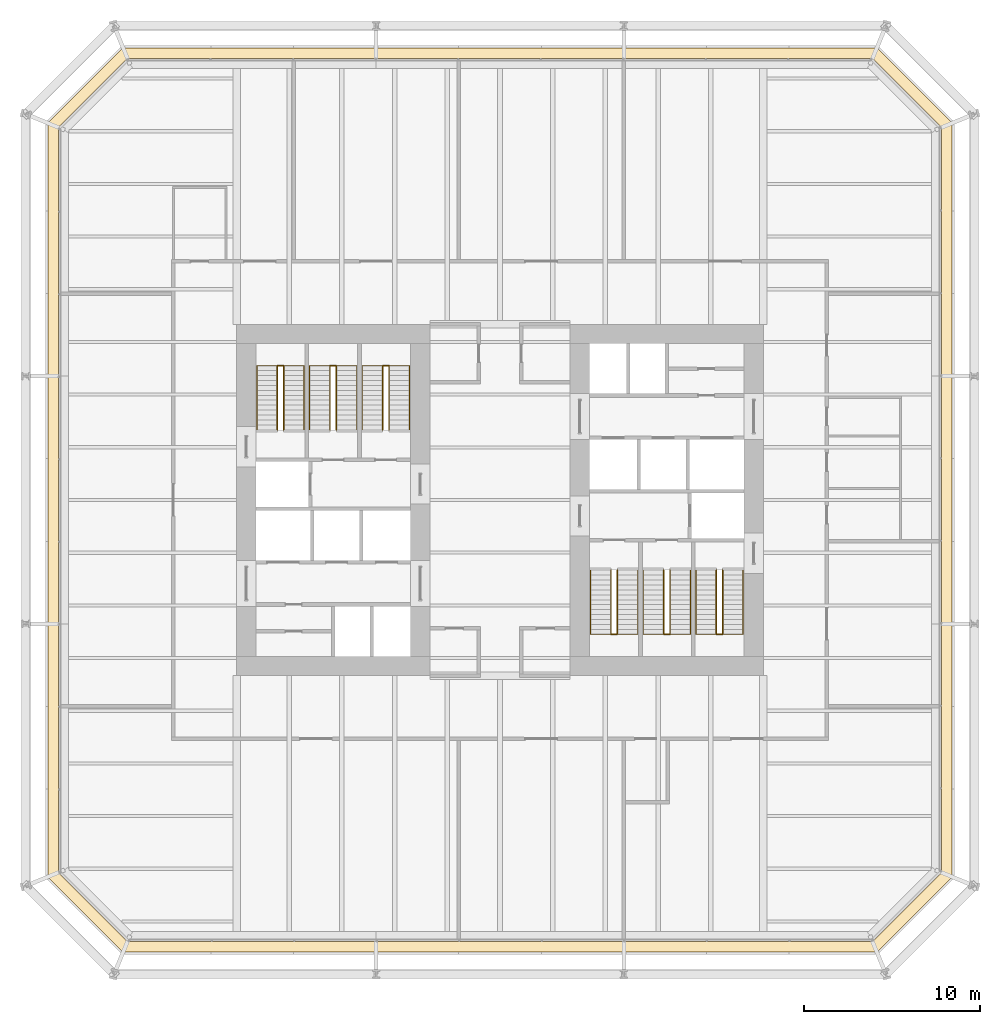
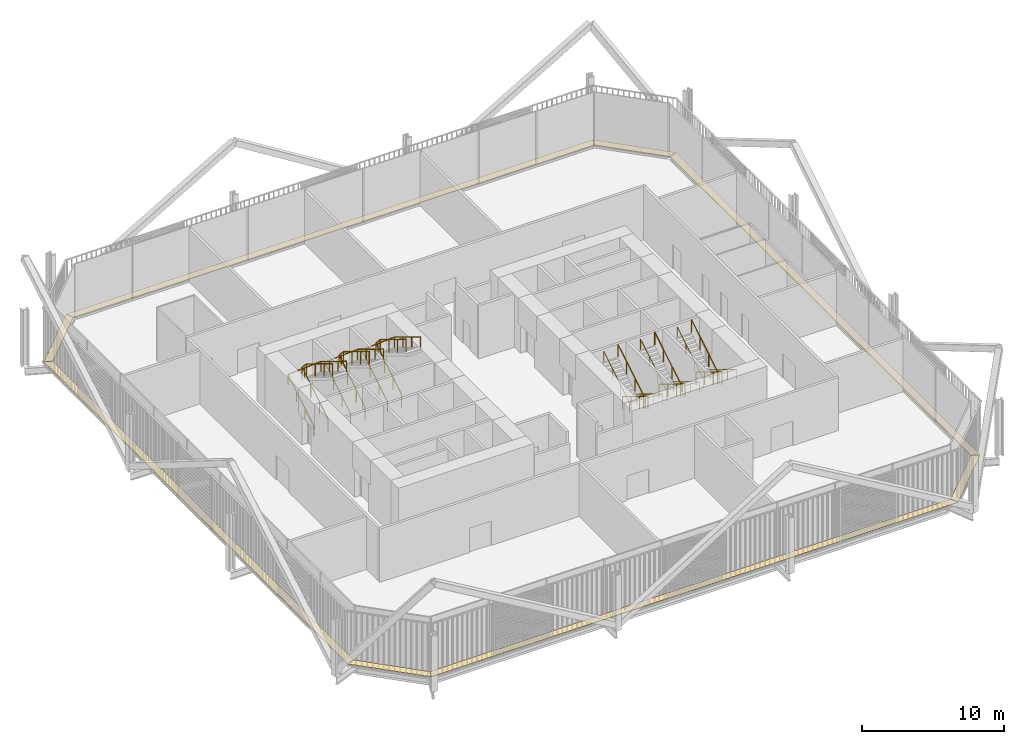
# One storey, part 22 of 22: 12 railings, 8 coverings.
"""IFC4 building model written with IfcOpenShell, lengths in metres."""

from ifc_helpers import new_model, si_unit, direction, frame, origin, origin_2d, place, context, subcontext, project, spatial, polyline, circle, outline, extrude, material, layer, layer_set, type_object, element, save


model = new_model("IFC4")

# Units and contexts
model_context = context("Model", 3, precision=1e-05, world=origin(), true_north=direction((0.0, 1.0)))
body_context = subcontext(model_context, "Body", "Model", "MODEL_VIEW")
ifc_project = project(units=[si_unit("LENGTHUNIT", "METRE"), si_unit("AREAUNIT", "SQUARE_METRE"), si_unit("VOLUMEUNIT", "CUBIC_METRE"), si_unit("PLANEANGLEUNIT", "RADIAN"), si_unit("MASSUNIT", "GRAM", prefix="KILO")], contexts=[model_context])

# Site, building, storey
site_placement = place(None, origin())
site = spatial("IfcSite", under=ifc_project, at=site_placement, CompositionType="ELEMENT")
building_placement = place(site_placement, origin())
building = spatial("IfcBuilding", under=site, at=building_placement, Name="Millrace Tower", CompositionType="ELEMENT")
storey_placement = place(building_placement, frame((0.0, 0.0, 35.300048828125)))
storey = spatial("IfcBuildingStorey", under=building, at=storey_placement, Name="L08", CompositionType="ELEMENT", Elevation=35.300048828125)

# Coverings
ifc_material_1 = material(Name="Steel ASTM A36", Category="steel")
ifc_layer = layer(ifc_material_1, 0.050048828125)
ifc_layer_set = layer_set([ifc_layer], Name="Steel ASTM A36")
covering_type = type_object("IfcCoveringType", Name="CAVITY CATWALK steel grating", PredefinedType="FLOORING", material=ifc_layer_set)
placement = place(storey_placement, frame((0.0, 0.0, 0.099853515625)))
element("IfcCovering", 1, at=placement, inside=storey, type_object=covering_type, Name="Cavity catwalk grating A-F01 L08 1", PredefinedType="FLOORING", context=body_context, shape_type="SweptSolid", body=[
    extrude(outline(polyline([(-25.75, -21.460693359375), (-21.460693359375, -25.75), (-21.212158203125, -25.14990234375), (-25.14990234375, -21.212158203125), (-25.75, -21.460693359375)])), origin(), (0.0, 0.0, 1.0), 0.050048828125),
])
element("IfcCovering", 2, at=placement, inside=storey, type_object=covering_type, Name="Cavity catwalk grating A-F02 L08 1", PredefinedType="FLOORING", context=body_context, shape_type="SweptSolid", body=[
    extrude(outline(polyline([(-21.460693359375, -25.75), (21.460693359375, -25.75), (21.212158203125, -25.14990234375), (-21.212158203125, -25.14990234375), (-21.460693359375, -25.75)])), origin(), (0.0, 0.0, 1.0), 0.050048828125),
])
element("IfcCovering", 3, at=placement, inside=storey, type_object=covering_type, Name="Cavity catwalk grating A-F03 L08 1", PredefinedType="FLOORING", context=body_context, shape_type="SweptSolid", body=[
    extrude(outline(polyline([(21.460693359375, -25.75), (25.75, -21.460693359375), (25.14990234375, -21.212158203125), (21.212158203125, -25.14990234375), (21.460693359375, -25.75)])), origin(), (0.0, 0.0, 1.0), 0.050048828125),
])
element("IfcCovering", 4, at=placement, inside=storey, type_object=covering_type, Name="Cavity catwalk grating A-F04 L08 1", PredefinedType="FLOORING", context=body_context, shape_type="SweptSolid", body=[
    extrude(outline(polyline([(25.75, -21.460693359375), (25.75, 21.460693359375), (25.14990234375, 21.212158203125), (25.14990234375, -21.212158203125), (25.75, -21.460693359375)])), origin(), (0.0, 0.0, 1.0), 0.050048828125),
])
element("IfcCovering", 5, at=placement, inside=storey, type_object=covering_type, Name="Cavity catwalk grating A-F05 L08 1", PredefinedType="FLOORING", context=body_context, shape_type="SweptSolid", body=[
    extrude(outline(polyline([(25.75, 21.460693359375), (21.460693359375, 25.75), (21.212158203125, 25.14990234375), (25.14990234375, 21.212158203125), (25.75, 21.460693359375)])), origin(), (0.0, 0.0, 1.0), 0.050048828125),
])
element("IfcCovering", 6, at=placement, inside=storey, type_object=covering_type, Name="Cavity catwalk grating A-F06 L08 1", PredefinedType="FLOORING", context=body_context, shape_type="SweptSolid", body=[
    extrude(outline(polyline([(21.460693359375, 25.75), (-21.460693359375, 25.75), (-21.212158203125, 25.14990234375), (21.212158203125, 25.14990234375), (21.460693359375, 25.75)])), origin(), (0.0, 0.0, 1.0), 0.050048828125),
])
element("IfcCovering", 7, at=placement, inside=storey, type_object=covering_type, Name="Cavity catwalk grating A-F07 L08 1", PredefinedType="FLOORING", context=body_context, shape_type="SweptSolid", body=[
    extrude(outline(polyline([(-21.460693359375, 25.75), (-25.75, 21.460693359375), (-25.14990234375, 21.212158203125), (-21.212158203125, 25.14990234375), (-21.460693359375, 25.75)])), origin(), (0.0, 0.0, 1.0), 0.050048828125),
])
element("IfcCovering", 8, at=placement, inside=storey, type_object=covering_type, Name="Cavity catwalk grating A-F08 L08 1", PredefinedType="FLOORING", context=body_context, shape_type="SweptSolid", body=[
    extrude(outline(polyline([(-25.75, 21.460693359375), (-25.75, -21.460693359375), (-25.14990234375, -21.212158203125), (-25.14990234375, 21.212158203125), (-25.75, 21.460693359375)])), origin(), (0.0, 0.0, 1.0), 0.050048828125),
])

# Railings
ifc_material_2 = material(Name="Stainless steel ASTM A240 type 316", Category="steel")
railing_type_1 = type_object("IfcRailingType", Name="Stair guard 1100", PredefinedType="GUARDRAIL", material=ifc_material_2)
for number, where, name in (
    (9, (-12.679931640625, 4.0, 0.17138671875), "Stair guard 1 W L08"),
    (10, (-9.679931640625, 4.0, 0.17138671875), "Stair guard 2 W L08"),
    (11, (-6.679931640625, 4.0, 0.17138671875), "Stair guard 3 W L08"),
):
    element("IfcRailing", number, at=place(storey_placement, frame(where)), inside=storey, type_object=railing_type_1, Name=name, PredefinedType="GUARDRAIL", context=body_context, shape_type="SweptSolid", body=[
        extrude(circle(Radius=0.02392578125, at=origin_2d()), frame((0.0, 0.0, 1.076171875), z_axis=(0.0, 0.852850264322, 0.5221555579), x_axis=(-1.0, 0.0, 0.0)), (0.0, 0.0, 1.0), 4.267822265625),
        extrude(circle(Radius=0.02392578125, at=origin_2d()), frame((0.0, 3.639892578125, 3.3046875), z_axis=(0.902837873996, 0.0, 0.429981131306), x_axis=(0.0, 1.0, 0.0)), (0.0, 0.0, 1.0), 0.398681640625),
        extrude(circle(Radius=0.02392578125, at=origin_2d()), frame((0.35986328125, 3.639892578125, 3.47607421875), z_axis=(0.0, -0.852824790078, 0.522197163366), x_axis=(1.0, 0.0, 0.0)), (0.0, 0.0, 1.0), 4.26806640625),
        extrude(circle(Radius=0.02099609375, at=origin_2d()), origin(), (0.0, 0.0, 1.0), 1.052001953125),
        extrude(circle(Radius=0.02099609375, at=origin_2d()), frame((0.0, 1.21337890625, 0.742919921875)), (0.0, 0.0, 1.0), 1.052001953125),
        extrude(circle(Radius=0.02099609375, at=origin_2d()), frame((0.0, 2.426513671875, 1.485595703125)), (0.0, 0.0, 1.0), 1.052001953125),
        extrude(circle(Radius=0.02099609375, at=origin_2d()), frame((0.0, 3.639892578125, 2.228515625)), (0.0, 0.0, 1.0), 1.052001953125),
        extrude(circle(Radius=0.02099609375, at=origin_2d()), frame((0.35986328125, 3.639892578125, 2.39990234375)), (0.0, 0.0, 1.0), 1.052001953125),
        extrude(circle(Radius=0.02099609375, at=origin_2d()), frame((0.35986328125, 2.426513671875, 3.142822265625)), (0.0, 0.0, 1.0), 1.052001953125),
        extrude(circle(Radius=0.02099609375, at=origin_2d()), frame((0.35986328125, 1.21337890625, 3.8857421875)), (0.0, 0.0, 1.0), 1.052001953125),
        extrude(circle(Radius=0.02099609375, at=origin_2d()), frame((0.35986328125, 0.0, 4.628662109375)), (0.0, 0.0, 1.0), 1.052001953125),
    ])
for number, where, name in (
    (12, (12.679931640625, -4.0, 0.17138671875), "Stair guard 1 E L08"),
    (13, (9.679931640625, -4.0, 0.17138671875), "Stair guard 2 E L08"),
    (14, (6.679931640625, -4.0, 0.17138671875), "Stair guard 3 E L08"),
):
    element("IfcRailing", number, at=place(storey_placement, frame(where)), inside=storey, type_object=railing_type_1, Name=name, PredefinedType="GUARDRAIL", context=body_context, shape_type="SweptSolid", body=[
        extrude(circle(Radius=0.02392578125, at=origin_2d()), frame((0.0, 0.0, 1.076171875), z_axis=(0.0, -0.852850264322, 0.5221555579), x_axis=(1.0, 0.0, 0.0)), (0.0, 0.0, 1.0), 4.267822265625),
        extrude(circle(Radius=0.02392578125, at=origin_2d()), frame((0.0, -3.639892578125, 3.3046875), z_axis=(-0.902837873996, 0.0, 0.429981131306), x_axis=(0.0, -1.0, 0.0)), (0.0, 0.0, 1.0), 0.398681640625),
        extrude(circle(Radius=0.02392578125, at=origin_2d()), frame((-0.35986328125, -3.639892578125, 3.47607421875), z_axis=(0.0, 0.852824790078, 0.522197163366), x_axis=(-1.0, 0.0, 0.0)), (0.0, 0.0, 1.0), 4.26806640625),
        extrude(circle(Radius=0.02099609375, at=origin_2d()), origin(), (0.0, 0.0, 1.0), 1.052001953125),
        extrude(circle(Radius=0.02099609375, at=origin_2d()), frame((0.0, -1.21337890625, 0.742919921875)), (0.0, 0.0, 1.0), 1.052001953125),
        extrude(circle(Radius=0.02099609375, at=origin_2d()), frame((0.0, -2.426513671875, 1.485595703125)), (0.0, 0.0, 1.0), 1.052001953125),
        extrude(circle(Radius=0.02099609375, at=origin_2d()), frame((0.0, -3.639892578125, 2.228515625)), (0.0, 0.0, 1.0), 1.052001953125),
        extrude(circle(Radius=0.02099609375, at=origin_2d()), frame((-0.35986328125, -3.639892578125, 2.39990234375)), (0.0, 0.0, 1.0), 1.052001953125),
        extrude(circle(Radius=0.02099609375, at=origin_2d()), frame((-0.35986328125, -2.426513671875, 3.142822265625)), (0.0, 0.0, 1.0), 1.052001953125),
        extrude(circle(Radius=0.02099609375, at=origin_2d()), frame((-0.35986328125, -1.21337890625, 3.8857421875)), (0.0, 0.0, 1.0), 1.052001953125),
        extrude(circle(Radius=0.02099609375, at=origin_2d()), frame((-0.35986328125, 0.0, 4.628662109375)), (0.0, 0.0, 1.0), 1.052001953125),
    ])
ifc_material_3 = material(Name="Stainless steel ASTM A240 type 316", Category="steel")
railing_type_2 = type_object("IfcRailingType", Name="Stair handrail 900", PredefinedType="HANDRAIL", material=ifc_material_3)
railing_1_placement = place(storey_placement, frame((-13.840087890625, 4.0, 0.17138671875)))
element("IfcRailing", 15, at=railing_1_placement, inside=storey, type_object=railing_type_2, Name="Stair handrail 1 W L08", PredefinedType="HANDRAIL", context=body_context, shape_type="SweptSolid", body=[
    extrude(circle(Radius=0.02392578125, at=origin_2d()), frame((0.0, 0.0, 0.8759765625), z_axis=(0.0, 0.852850264322, 0.5221555579), x_axis=(-1.0, 0.0, 0.0)), (0.0, 0.0, 1.0), 4.267822265625),
    extrude(circle(Radius=0.02392578125, at=origin_2d()), frame((0.0, 3.639892578125, 3.1044921875), z_axis=(0.9979616988, 0.0, 0.063815732607), x_axis=(0.0, 1.0, 0.0)), (0.0, 0.0, 1.0), 2.685546875),
    extrude(circle(Radius=0.02392578125, at=origin_2d()), frame((2.68017578125, 3.639892578125, 3.27587890625), z_axis=(0.0, -0.852824790078, 0.522197163366), x_axis=(1.0, 0.0, 0.0)), (0.0, 0.0, 1.0), 4.26806640625),
    extrude(circle(Radius=0.02099609375, at=origin_2d()), origin(), (0.0, 0.0, 1.0), 0.851806640625),
    extrude(circle(Radius=0.02099609375, at=origin_2d()), frame((0.0, 1.21337890625, 0.742919921875)), (0.0, 0.0, 1.0), 0.851806640625),
    extrude(circle(Radius=0.02099609375, at=origin_2d()), frame((0.0, 2.426513671875, 1.485595703125)), (0.0, 0.0, 1.0), 0.851806640625),
    extrude(circle(Radius=0.02099609375, at=origin_2d()), frame((0.0, 3.639892578125, 2.228515625)), (0.0, 0.0, 1.0), 0.851806640625),
    extrude(circle(Radius=0.02099609375, at=origin_2d()), frame((1.340087890625, 3.639892578125, 2.314208984375)), (0.0, 0.0, 1.0), 0.851806640625),
    extrude(circle(Radius=0.02099609375, at=origin_2d()), frame((2.68017578125, 3.639892578125, 2.39990234375)), (0.0, 0.0, 1.0), 0.851806640625),
    extrude(circle(Radius=0.02099609375, at=origin_2d()), frame((2.68017578125, 2.426513671875, 3.142822265625)), (0.0, 0.0, 1.0), 0.851806640625),
    extrude(circle(Radius=0.02099609375, at=origin_2d()), frame((2.68017578125, 1.21337890625, 3.8857421875)), (0.0, 0.0, 1.0), 0.851806640625),
    extrude(circle(Radius=0.02099609375, at=origin_2d()), frame((2.68017578125, 0.0, 4.628662109375)), (0.0, 0.0, 1.0), 0.851806640625),
])
railing_2_placement = place(storey_placement, frame((-10.840087890625, 4.0, 0.17138671875)))
element("IfcRailing", 16, at=railing_2_placement, inside=storey, type_object=railing_type_2, Name="Stair handrail 2 W L08", PredefinedType="HANDRAIL", context=body_context, shape_type="SweptSolid", body=[
    extrude(circle(Radius=0.02392578125, at=origin_2d()), frame((0.0, 0.0, 0.8759765625), z_axis=(0.0, 0.852850264322, 0.5221555579), x_axis=(-1.0, 0.0, 0.0)), (0.0, 0.0, 1.0), 4.267822265625),
    extrude(circle(Radius=0.02392578125, at=origin_2d()), frame((0.0, 3.639892578125, 3.1044921875), z_axis=(0.9979616988, 0.0, 0.063815732607), x_axis=(0.0, 1.0, 0.0)), (0.0, 0.0, 1.0), 2.685546875),
    extrude(circle(Radius=0.02392578125, at=origin_2d()), frame((2.68017578125, 3.639892578125, 3.27587890625), z_axis=(0.0, -0.852824790078, 0.522197163366), x_axis=(1.0, 0.0, 0.0)), (0.0, 0.0, 1.0), 4.26806640625),
    extrude(circle(Radius=0.02099609375, at=origin_2d()), origin(), (0.0, 0.0, 1.0), 0.851806640625),
    extrude(circle(Radius=0.02099609375, at=origin_2d()), frame((0.0, 1.21337890625, 0.742919921875)), (0.0, 0.0, 1.0), 0.851806640625),
    extrude(circle(Radius=0.02099609375, at=origin_2d()), frame((0.0, 2.426513671875, 1.485595703125)), (0.0, 0.0, 1.0), 0.851806640625),
    extrude(circle(Radius=0.02099609375, at=origin_2d()), frame((0.0, 3.639892578125, 2.228515625)), (0.0, 0.0, 1.0), 0.851806640625),
    extrude(circle(Radius=0.02099609375, at=origin_2d()), frame((1.340087890625, 3.639892578125, 2.314208984375)), (0.0, 0.0, 1.0), 0.851806640625),
    extrude(circle(Radius=0.02099609375, at=origin_2d()), frame((2.68017578125, 3.639892578125, 2.39990234375)), (0.0, 0.0, 1.0), 0.851806640625),
    extrude(circle(Radius=0.02099609375, at=origin_2d()), frame((2.68017578125, 2.426513671875, 3.142822265625)), (0.0, 0.0, 1.0), 0.851806640625),
    extrude(circle(Radius=0.02099609375, at=origin_2d()), frame((2.68017578125, 1.21337890625, 3.8857421875)), (0.0, 0.0, 1.0), 0.851806640625),
    extrude(circle(Radius=0.02099609375, at=origin_2d()), frame((2.68017578125, 0.0, 4.628662109375)), (0.0, 0.0, 1.0), 0.851806640625),
])
railing_3_placement = place(storey_placement, frame((-7.840087890625, 4.0, 0.17138671875)))
element("IfcRailing", 17, at=railing_3_placement, inside=storey, type_object=railing_type_2, Name="Stair handrail 3 W L08", PredefinedType="HANDRAIL", context=body_context, shape_type="SweptSolid", body=[
    extrude(circle(Radius=0.02392578125, at=origin_2d()), frame((0.0, 0.0, 0.8759765625), z_axis=(0.0, 0.852850264322, 0.5221555579), x_axis=(-1.0, 0.0, 0.0)), (0.0, 0.0, 1.0), 4.267822265625),
    extrude(circle(Radius=0.02392578125, at=origin_2d()), frame((0.0, 3.639892578125, 3.1044921875), z_axis=(0.9979616988, 0.0, 0.063815732607), x_axis=(0.0, 1.0, 0.0)), (0.0, 0.0, 1.0), 2.685546875),
    extrude(circle(Radius=0.02392578125, at=origin_2d()), frame((2.68017578125, 3.639892578125, 3.27587890625), z_axis=(0.0, -0.852824790078, 0.522197163366), x_axis=(1.0, 0.0, 0.0)), (0.0, 0.0, 1.0), 4.26806640625),
    extrude(circle(Radius=0.02099609375, at=origin_2d()), origin(), (0.0, 0.0, 1.0), 0.851806640625),
    extrude(circle(Radius=0.02099609375, at=origin_2d()), frame((0.0, 1.21337890625, 0.742919921875)), (0.0, 0.0, 1.0), 0.851806640625),
    extrude(circle(Radius=0.02099609375, at=origin_2d()), frame((0.0, 2.426513671875, 1.485595703125)), (0.0, 0.0, 1.0), 0.851806640625),
    extrude(circle(Radius=0.02099609375, at=origin_2d()), frame((0.0, 3.639892578125, 2.228515625)), (0.0, 0.0, 1.0), 0.851806640625),
    extrude(circle(Radius=0.02099609375, at=origin_2d()), frame((1.340087890625, 3.639892578125, 2.314208984375)), (0.0, 0.0, 1.0), 0.851806640625),
    extrude(circle(Radius=0.02099609375, at=origin_2d()), frame((2.68017578125, 3.639892578125, 2.39990234375)), (0.0, 0.0, 1.0), 0.851806640625),
    extrude(circle(Radius=0.02099609375, at=origin_2d()), frame((2.68017578125, 2.426513671875, 3.142822265625)), (0.0, 0.0, 1.0), 0.851806640625),
    extrude(circle(Radius=0.02099609375, at=origin_2d()), frame((2.68017578125, 1.21337890625, 3.8857421875)), (0.0, 0.0, 1.0), 0.851806640625),
    extrude(circle(Radius=0.02099609375, at=origin_2d()), frame((2.68017578125, 0.0, 4.628662109375)), (0.0, 0.0, 1.0), 0.851806640625),
])
railing_4_placement = place(storey_placement, frame((13.840087890625, -4.0, 0.17138671875)))
element("IfcRailing", 18, at=railing_4_placement, inside=storey, type_object=railing_type_2, Name="Stair handrail 1 E L08", PredefinedType="HANDRAIL", context=body_context, shape_type="SweptSolid", body=[
    extrude(circle(Radius=0.02392578125, at=origin_2d()), frame((0.0, 0.0, 0.8759765625), z_axis=(0.0, -0.852850264322, 0.5221555579), x_axis=(1.0, 0.0, 0.0)), (0.0, 0.0, 1.0), 4.267822265625),
    extrude(circle(Radius=0.02392578125, at=origin_2d()), frame((0.0, -3.639892578125, 3.1044921875), z_axis=(-0.9979616988, 0.0, 0.063815732607), x_axis=(0.0, -1.0, 0.0)), (0.0, 0.0, 1.0), 2.685546875),
    extrude(circle(Radius=0.02392578125, at=origin_2d()), frame((-2.68017578125, -3.639892578125, 3.27587890625), z_axis=(0.0, 0.852824790078, 0.522197163366), x_axis=(-1.0, 0.0, 0.0)), (0.0, 0.0, 1.0), 4.26806640625),
    extrude(circle(Radius=0.02099609375, at=origin_2d()), origin(), (0.0, 0.0, 1.0), 0.851806640625),
    extrude(circle(Radius=0.02099609375, at=origin_2d()), frame((0.0, -1.21337890625, 0.742919921875)), (0.0, 0.0, 1.0), 0.851806640625),
    extrude(circle(Radius=0.02099609375, at=origin_2d()), frame((0.0, -2.426513671875, 1.485595703125)), (0.0, 0.0, 1.0), 0.851806640625),
    extrude(circle(Radius=0.02099609375, at=origin_2d()), frame((0.0, -3.639892578125, 2.228515625)), (0.0, 0.0, 1.0), 0.851806640625),
    extrude(circle(Radius=0.02099609375, at=origin_2d()), frame((-1.340087890625, -3.639892578125, 2.314208984375)), (0.0, 0.0, 1.0), 0.851806640625),
    extrude(circle(Radius=0.02099609375, at=origin_2d()), frame((-2.68017578125, -3.639892578125, 2.39990234375)), (0.0, 0.0, 1.0), 0.851806640625),
    extrude(circle(Radius=0.02099609375, at=origin_2d()), frame((-2.68017578125, -2.426513671875, 3.142822265625)), (0.0, 0.0, 1.0), 0.851806640625),
    extrude(circle(Radius=0.02099609375, at=origin_2d()), frame((-2.68017578125, -1.21337890625, 3.8857421875)), (0.0, 0.0, 1.0), 0.851806640625),
    extrude(circle(Radius=0.02099609375, at=origin_2d()), frame((-2.68017578125, 0.0, 4.628662109375)), (0.0, 0.0, 1.0), 0.851806640625),
])
railing_5_placement = place(storey_placement, frame((10.840087890625, -4.0, 0.17138671875)))
element("IfcRailing", 19, at=railing_5_placement, inside=storey, type_object=railing_type_2, Name="Stair handrail 2 E L08", PredefinedType="HANDRAIL", context=body_context, shape_type="SweptSolid", body=[
    extrude(circle(Radius=0.02392578125, at=origin_2d()), frame((0.0, 0.0, 0.8759765625), z_axis=(0.0, -0.852850264322, 0.5221555579), x_axis=(1.0, 0.0, 0.0)), (0.0, 0.0, 1.0), 4.267822265625),
    extrude(circle(Radius=0.02392578125, at=origin_2d()), frame((0.0, -3.639892578125, 3.1044921875), z_axis=(-0.9979616988, 0.0, 0.063815732607), x_axis=(0.0, -1.0, 0.0)), (0.0, 0.0, 1.0), 2.685546875),
    extrude(circle(Radius=0.02392578125, at=origin_2d()), frame((-2.68017578125, -3.639892578125, 3.27587890625), z_axis=(0.0, 0.852824790078, 0.522197163366), x_axis=(-1.0, 0.0, 0.0)), (0.0, 0.0, 1.0), 4.26806640625),
    extrude(circle(Radius=0.02099609375, at=origin_2d()), origin(), (0.0, 0.0, 1.0), 0.851806640625),
    extrude(circle(Radius=0.02099609375, at=origin_2d()), frame((0.0, -1.21337890625, 0.742919921875)), (0.0, 0.0, 1.0), 0.851806640625),
    extrude(circle(Radius=0.02099609375, at=origin_2d()), frame((0.0, -2.426513671875, 1.485595703125)), (0.0, 0.0, 1.0), 0.851806640625),
    extrude(circle(Radius=0.02099609375, at=origin_2d()), frame((0.0, -3.639892578125, 2.228515625)), (0.0, 0.0, 1.0), 0.851806640625),
    extrude(circle(Radius=0.02099609375, at=origin_2d()), frame((-1.340087890625, -3.639892578125, 2.314208984375)), (0.0, 0.0, 1.0), 0.851806640625),
    extrude(circle(Radius=0.02099609375, at=origin_2d()), frame((-2.68017578125, -3.639892578125, 2.39990234375)), (0.0, 0.0, 1.0), 0.851806640625),
    extrude(circle(Radius=0.02099609375, at=origin_2d()), frame((-2.68017578125, -2.426513671875, 3.142822265625)), (0.0, 0.0, 1.0), 0.851806640625),
    extrude(circle(Radius=0.02099609375, at=origin_2d()), frame((-2.68017578125, -1.21337890625, 3.8857421875)), (0.0, 0.0, 1.0), 0.851806640625),
    extrude(circle(Radius=0.02099609375, at=origin_2d()), frame((-2.68017578125, 0.0, 4.628662109375)), (0.0, 0.0, 1.0), 0.851806640625),
])
railing_6_placement = place(storey_placement, frame((7.840087890625, -4.0, 0.17138671875)))
element("IfcRailing", 20, at=railing_6_placement, inside=storey, type_object=railing_type_2, Name="Stair handrail 3 E L08", PredefinedType="HANDRAIL", context=body_context, shape_type="SweptSolid", body=[
    extrude(circle(Radius=0.02392578125, at=origin_2d()), frame((0.0, 0.0, 0.8759765625), z_axis=(0.0, -0.852850264322, 0.5221555579), x_axis=(1.0, 0.0, 0.0)), (0.0, 0.0, 1.0), 4.267822265625),
    extrude(circle(Radius=0.02392578125, at=origin_2d()), frame((0.0, -3.639892578125, 3.1044921875), z_axis=(-0.9979616988, 0.0, 0.063815732607), x_axis=(0.0, -1.0, 0.0)), (0.0, 0.0, 1.0), 2.685546875),
    extrude(circle(Radius=0.02392578125, at=origin_2d()), frame((-2.68017578125, -3.639892578125, 3.27587890625), z_axis=(0.0, 0.852824790078, 0.522197163366), x_axis=(-1.0, 0.0, 0.0)), (0.0, 0.0, 1.0), 4.26806640625),
    extrude(circle(Radius=0.02099609375, at=origin_2d()), origin(), (0.0, 0.0, 1.0), 0.851806640625),
    extrude(circle(Radius=0.02099609375, at=origin_2d()), frame((0.0, -1.21337890625, 0.742919921875)), (0.0, 0.0, 1.0), 0.851806640625),
    extrude(circle(Radius=0.02099609375, at=origin_2d()), frame((0.0, -2.426513671875, 1.485595703125)), (0.0, 0.0, 1.0), 0.851806640625),
    extrude(circle(Radius=0.02099609375, at=origin_2d()), frame((0.0, -3.639892578125, 2.228515625)), (0.0, 0.0, 1.0), 0.851806640625),
    extrude(circle(Radius=0.02099609375, at=origin_2d()), frame((-1.340087890625, -3.639892578125, 2.314208984375)), (0.0, 0.0, 1.0), 0.851806640625),
    extrude(circle(Radius=0.02099609375, at=origin_2d()), frame((-2.68017578125, -3.639892578125, 2.39990234375)), (0.0, 0.0, 1.0), 0.851806640625),
    extrude(circle(Radius=0.02099609375, at=origin_2d()), frame((-2.68017578125, -2.426513671875, 3.142822265625)), (0.0, 0.0, 1.0), 0.851806640625),
    extrude(circle(Radius=0.02099609375, at=origin_2d()), frame((-2.68017578125, -1.21337890625, 3.8857421875)), (0.0, 0.0, 1.0), 0.851806640625),
    extrude(circle(Radius=0.02099609375, at=origin_2d()), frame((-2.68017578125, 0.0, 4.628662109375)), (0.0, 0.0, 1.0), 0.851806640625),
])

save(model, "model.ifc")
